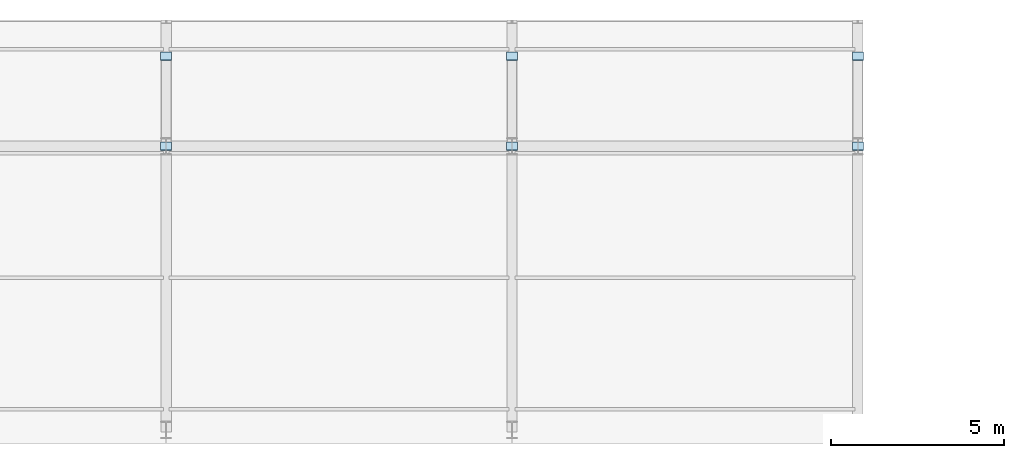
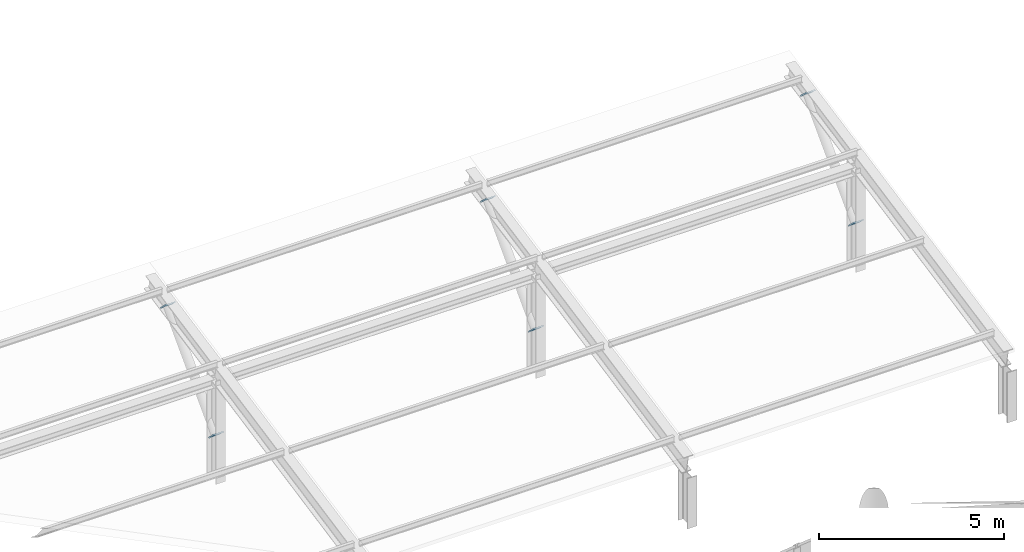
# One storey, part 75 of 100: 6 plates.
"""IFC4 building model written with IfcOpenShell, lengths in metres."""

from ifc_helpers import new_model, si_unit, direction, frame, origin, origin_2d, place, context, subcontext, project, spatial, rectangle, extrude, material, layer, layer_set, type_object, element, save


model = new_model("IFC4")

# Units and contexts
model_context = context("Model", 3, precision=1e-05, world=origin(), true_north=direction((0.0, 1.0)))
body_context = subcontext(model_context, "Body", "Model", "MODEL_VIEW")
ifc_project = project(units=[si_unit("LENGTHUNIT", "METRE"), si_unit("AREAUNIT", "SQUARE_METRE"), si_unit("VOLUMEUNIT", "CUBIC_METRE"), si_unit("PLANEANGLEUNIT", "RADIAN"), si_unit("MASSUNIT", "GRAM", prefix="KILO")], contexts=[model_context])

# Site, building, storey
site_placement = place(None, origin())
site = spatial("IfcSite", under=ifc_project, at=site_placement, CompositionType="ELEMENT")
building_placement = place(site_placement, origin())
building = spatial("IfcBuilding", under=site, at=building_placement, Name="Kivolera Central Railway Station", CompositionType="ELEMENT")
storey_placement = place(building_placement, frame((0.0, 0.0, 5.39990234375)))
storey = spatial("IfcBuildingStorey", under=building, at=storey_placement, Name="L01", CompositionType="ELEMENT", Elevation=5.39990234375)

# Plates
ifc_material = material(Name="Steel S355", Category="steel")
ifc_layer = layer(ifc_material, 0.02490234375, Name="Steel S355")
ifc_layer_set = layer_set([ifc_layer], Name="Steel S355")
plate_type = type_object("IfcPlateType", Name="PLT-CAP-320", PredefinedType="SHEET", material=ifc_layer_set)
for number, where, z_axis, x_axis, name in (
    (1, (78.0, 135.9970703125, 1.447021484375), (0.0, 0.693641687277, 0.720320213288), (-1.0, 0.0, 0.0), "Hollow section end-cap plate NP-CAP1"),
    (2, (78.0, 138.60302734375, 4.153076171875), (0.0, 0.693641687277, 0.720320213288), (-1.0, 0.0, 0.0), "Hollow section end-cap plate NP-CAP1"),
    (3, (88.0, 135.9970703125, 1.447021484375), (0.0, 0.693641687277, 0.720320213288), (-1.0, 0.0, 0.0), "Hollow section end-cap plate NP-CAP1"),
    (4, (88.0, 138.60302734375, 4.153076171875), (0.0, 0.693641687277, 0.720320213288), (-1.0, 0.0, 0.0), "Hollow section end-cap plate NP-CAP1"),
    (5, (98.0, 135.9970703125, 1.447021484375), (0.0, 0.693641687277, 0.720320213288), (-1.0, 0.0, 0.0), "Hollow section end-cap plate NP-CAP1"),
    (6, (98.0, 138.60302734375, 4.153076171875), (0.0, 0.693641687277, 0.720320213288), (-1.0, 0.0, 0.0), "Hollow section end-cap plate NP-CAP1"),
):
    element("IfcPlate", number, at=place(storey_placement, frame(where, z_axis=z_axis, x_axis=x_axis)), inside=storey, type_object=plate_type, Name=name, PredefinedType="SHEET", context=body_context, shape_type="SweptSolid", body=[
        extrude(rectangle(XDim=0.320068359375, YDim=0.320068359375, at=origin_2d()), frame((0.0, 0.0, -0.012451171875)), (0.0, 0.0, 1.0), 0.02490234375),
    ])

save(model, "model.ifc")
